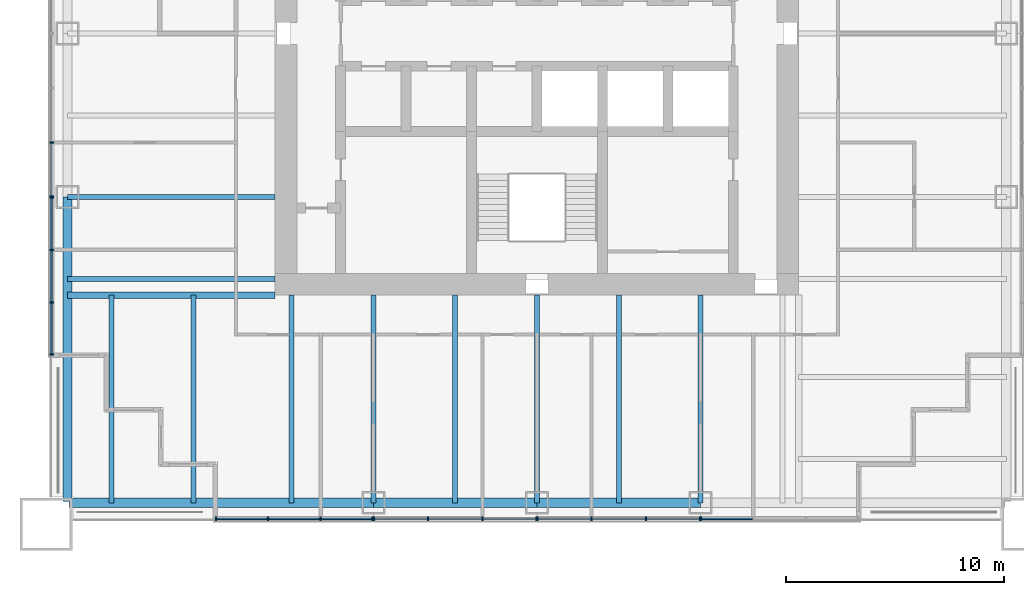
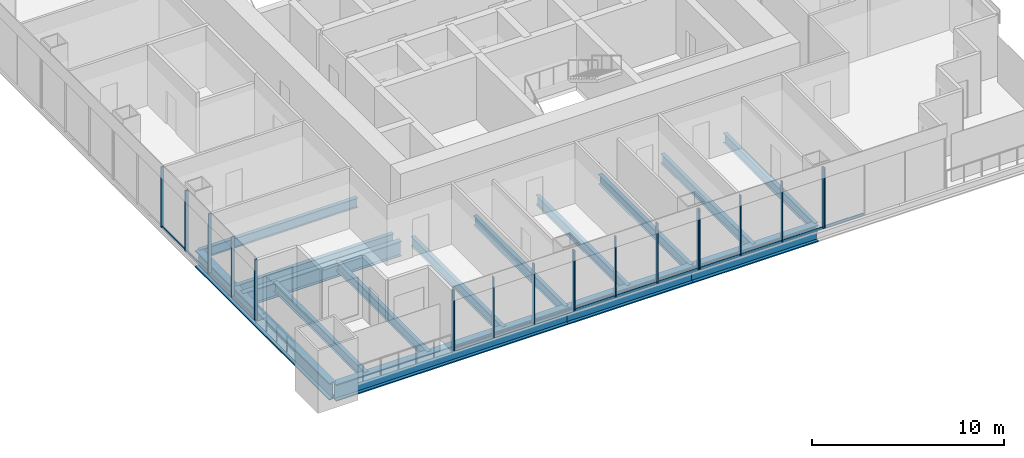
# One storey, part 2 of 13: 33 members, 15 beams, 6 elements without a shape of their own.
"""IFC4 building model written with IfcOpenShell, lengths in metres."""

from ifc_helpers import new_model, si_unit, direction, frame, origin, origin_2d, place, context, subcontext, project, spatial, rectangle, i_section, extrude, material, material_profile, profile_set, type_object, element, aggregate, save


model = new_model("IFC4")

# Units and contexts
model_context = context("Model", 3, precision=1e-05, world=origin(), true_north=direction((0.0, 1.0)))
body_context = subcontext(model_context, "Body", "Model", "MODEL_VIEW")
ifc_project = project(units=[si_unit("LENGTHUNIT", "METRE"), si_unit("AREAUNIT", "SQUARE_METRE"), si_unit("VOLUMEUNIT", "CUBIC_METRE"), si_unit("PLANEANGLEUNIT", "RADIAN"), si_unit("MASSUNIT", "GRAM", prefix="KILO")], contexts=[model_context])

# Site, building, storey
site_placement = place(None, origin())
site = spatial("IfcSite", under=ifc_project, at=site_placement, CompositionType="ELEMENT")
building_placement = place(site_placement, origin())
building = spatial("IfcBuilding", under=site, at=building_placement, Name="Tarangal Relay Tower", CompositionType="ELEMENT")
storey_placement = place(building_placement, frame((0.0, 0.0, 185.89990234375)))
storey = spatial("IfcBuildingStorey", under=building, at=storey_placement, Name="L38", CompositionType="ELEMENT", Elevation=185.89990234375)

# Beams
ifc_material_1 = material(Name="Steel ASTM A992", Category="steel")
ifc_material_profile_1 = material_profile(ifc_material_1, i_section(OverallWidth=0.227783203125, OverallDepth=0.60205078125, WebThickness=0.010498046875, FlangeThickness=0.014892578125, at=origin_2d()), Name="W24X68")
ifc_profile_set_1 = profile_set([ifc_material_profile_1], Name="Steel ASTM A992")
beam_type_1 = type_object("IfcBeamType", Name="Corner beam W24X68", PredefinedType="JOIST", material=ifc_profile_set_1)
for number, where, z_axis, x_axis, name in (
    (1, (-15.75, -12.0, -0.450927734375), (0.0, -1.0, 0.0), (1.0, 0.0, 0.0), "Corner beam CB11 S L38"),
    (2, (-19.5, -12.0, -0.450927734375), (0.0, -1.0, 0.0), (1.0, 0.0, 0.0), "Corner beam CB11 S L38"),
):
    element("IfcBeam", number, at=place(storey_placement, frame(where, z_axis=z_axis, x_axis=x_axis)), inside=storey, type_object=beam_type_1, Name=name, PredefinedType="JOIST", context=body_context, shape_type="SweptSolid", body=[
        extrude(i_section(OverallWidth=0.227783203125, OverallDepth=0.60205078125, WebThickness=0.010498046875, FlangeThickness=0.014892578125, at=origin_2d()), origin(), (0.0, 0.0, 1.0), 9.514892578125),
    ])
ifc_material_profile_2 = material_profile(ifc_material_1, i_section(OverallWidth=0.307373046875, OverallDepth=0.9423828125, WebThickness=0.022216796875, FlangeThickness=0.039794921875, at=origin_2d()), Name="W36X232")
ifc_profile_set_2 = profile_set([ifc_material_profile_2], Name="Steel ASTM A992")
beam_type_2 = type_object("IfcBeamType", Name="Corner girder W36X232", PredefinedType="BEAM", material=ifc_profile_set_2)
beam_placement = place(storey_placement, frame((-12.0, -12.0, -0.62109375), z_axis=(-1.0, 0.0, 0.0), x_axis=(0.0, -1.0, 0.0)))
element("IfcBeam", 3, at=beam_placement, inside=storey, type_object=beam_type_2, Name="Corner girder CG4 S L38", PredefinedType="BEAM", context=body_context, shape_type="SweptSolid", body=[
    extrude(i_section(OverallWidth=0.307373046875, OverallDepth=0.9423828125, WebThickness=0.022216796875, FlangeThickness=0.039794921875, at=origin_2d()), origin(), (0.0, 0.0, 1.0), 9.514892578125),
])
ifc_material_profile_3 = material_profile(ifc_material_1, i_section(OverallWidth=0.41650390625, OverallDepth=1.0693359375, WebThickness=0.0390625, FlangeThickness=0.070068359375, at=origin_2d()), Name="W40X503")
ifc_profile_set_3 = profile_set([ifc_material_profile_3], Name="Steel ASTM A992")
beam_type_3 = type_object("IfcBeamType", Name="Edge girder W40X503", PredefinedType="SPANDREL", material=ifc_profile_set_3)
for number, where, z_axis, x_axis, name in (
    (4, (7.5, -21.514892578125, -0.6845703125), (-1.0, 0.0, 0.0), (0.0, -1.0, 0.0), "Edge girder EG8 S L38"),
    (5, (0.0, -21.514892578125, -0.6845703125), (-1.0, 0.0, 0.0), (0.0, -1.0, 0.0), "Edge girder EG8 S L38"),
):
    element("IfcBeam", number, at=place(storey_placement, frame(where, z_axis=z_axis, x_axis=x_axis)), inside=storey, type_object=beam_type_3, Name=name, PredefinedType="SPANDREL", context=body_context, shape_type="SweptSolid", body=[
        extrude(i_section(OverallWidth=0.41650390625, OverallDepth=1.0693359375, WebThickness=0.0390625, FlangeThickness=0.070068359375, at=origin_2d()), origin(), (0.0, 0.0, 1.0), 7.5),
    ])
for number, where, z_axis, x_axis, name in (
    (6, (-7.5, -21.514892578125, -0.6845703125), (-1.0, 0.0, 0.0), (0.0, -1.0, 0.0), "Edge girder EG8 S L38"),
    (7, (-21.514892578125, -21.449951171875, -0.6845703125), (0.0, 1.0, 0.0), (-1.0, 0.0, 0.0), "Edge girder EG8 W L38"),
):
    element("IfcBeam", number, at=place(storey_placement, frame(where, z_axis=z_axis, x_axis=x_axis)), inside=storey, type_object=beam_type_3, Name=name, PredefinedType="SPANDREL", context=body_context, shape_type="SweptSolid", body=[
        extrude(i_section(OverallWidth=0.41650390625, OverallDepth=1.0693359375, WebThickness=0.0390625, FlangeThickness=0.070068359375, at=origin_2d()), origin(), (0.0, 0.0, 1.0), 13.949951171875),
    ])
ifc_material_profile_4 = material_profile(ifc_material_1, i_section(OverallWidth=0.22900390625, OverallDepth=0.612060546875, WebThickness=0.011962890625, FlangeThickness=0.01953125, at=origin_2d()), Name="W24X84")
ifc_profile_set_4 = profile_set([ifc_material_profile_4], Name="Steel ASTM A992")
beam_type_4 = type_object("IfcBeamType", Name="Floor beam W24X84", PredefinedType="BEAM", material=ifc_profile_set_4)
for number, where, z_axis, x_axis, name in (
    (8, (7.5, -12.0, -0.455810546875), (0.0, -1.0, 0.0), (1.0, 0.0, 0.0), "Floor beam RB12 S L38"),
    (9, (3.75, -12.0, -0.455810546875), (0.0, -1.0, 0.0), (1.0, 0.0, 0.0), "Floor beam RB12 S L38"),
    (10, (0.0, -12.0, -0.455810546875), (0.0, -1.0, 0.0), (1.0, 0.0, 0.0), "Floor beam RB12 S L38"),
    (11, (-3.75, -12.0, -0.455810546875), (0.0, -1.0, 0.0), (1.0, 0.0, 0.0), "Floor beam RB12 S L38"),
    (12, (-7.5, -12.0, -0.455810546875), (0.0, -1.0, 0.0), (1.0, 0.0, 0.0), "Floor beam RB12 S L38"),
    (13, (-11.25, -12.0, -0.455810546875), (0.0, -1.0, 0.0), (1.0, 0.0, 0.0), "Floor beam RB12 S L38"),
    (14, (-12.0, -11.25, -0.455810546875), (-1.0, 0.0, 0.0), (0.0, -1.0, 0.0), "Floor beam RB12 W L38"),
    (15, (-12.0, -7.5, -0.455810546875), (-1.0, 0.0, 0.0), (0.0, -1.0, 0.0), "Floor beam RB12 W L38"),
):
    element("IfcBeam", number, at=place(storey_placement, frame(where, z_axis=z_axis, x_axis=x_axis)), inside=storey, type_object=beam_type_4, Name=name, PredefinedType="BEAM", context=body_context, shape_type="SweptSolid", body=[
        extrude(i_section(OverallWidth=0.22900390625, OverallDepth=0.612060546875, WebThickness=0.011962890625, FlangeThickness=0.01953125, at=origin_2d()), origin(), (0.0, 0.0, 1.0), 9.514892578125),
    ])

# Curtain wall, members
ifc_material_2 = material(Name="Unitised curtain wall, dark glass and black aluminium", Category="aluminium")
curtain_wall_type_1 = type_object("IfcCurtainWallType", Name="Curtain wall CW-A", PredefinedType="USERDEFINED", material=ifc_material_2)
curtain_wall_1_placement = place(storey_placement, origin())
curtain_wall_1 = element("IfcCurtainWall", 16, at=curtain_wall_1_placement, inside=storey, type_object=curtain_wall_type_1, Name="Curtain wall CW-A S facade L38", ObjectType="UNITISED CURTAIN WALL", PredefinedType="USERDEFINED")
ifc_material_3 = material(Name="Black anodised aluminium mullion", Category="aluminium")
ifc_material_profile_5 = material_profile(ifc_material_3, rectangle(XDim=0.175048828125, YDim=0.06494140625, at=origin_2d()), Name="CW-AM 65X175")
ifc_profile_set_5 = profile_set([ifc_material_profile_5], Name="Black anodised aluminium mullion")
member_type_1 = type_object("IfcMemberType", Name="Mullion CW-A 65 x 175", PredefinedType="MULLION", material=ifc_profile_set_5)
member_1_placement = place(storey_placement, frame((7.467529296875, -22.25, 0.0), z_axis=(0.0, 0.0, 1.0), x_axis=(0.0, -1.0, 0.0)))
member_1 = element("IfcMember", 17, at=member_1_placement, type_object=member_type_1, Name="CW-A mullion 1", PredefinedType="MULLION", context=body_context, shape_type="SweptSolid", body=[
    extrude(rectangle(XDim=0.175048828125, YDim=0.06494140625, at=origin_2d()), origin(), (0.0, 0.0, 1.0), 3.85009765625),
])
member_2_placement = place(storey_placement, frame((5.0, -22.25, 0.0), z_axis=(0.0, 0.0, 1.0), x_axis=(0.0, -1.0, 0.0)))
member_2 = element("IfcMember", 18, at=member_2_placement, type_object=member_type_1, Name="CW-A mullion 2", PredefinedType="MULLION", context=body_context, shape_type="SweptSolid", body=[
    extrude(rectangle(XDim=0.175048828125, YDim=0.06494140625, at=origin_2d()), origin(), (0.0, 0.0, 1.0), 3.85009765625),
])
member_3_placement = place(storey_placement, frame((2.5, -22.25, 0.0), z_axis=(0.0, 0.0, 1.0), x_axis=(0.0, -1.0, 0.0)))
member_3 = element("IfcMember", 19, at=member_3_placement, type_object=member_type_1, Name="CW-A mullion 3", PredefinedType="MULLION", context=body_context, shape_type="SweptSolid", body=[
    extrude(rectangle(XDim=0.175048828125, YDim=0.06494140625, at=origin_2d()), origin(), (0.0, 0.0, 1.0), 3.85009765625),
])
member_4_placement = place(storey_placement, frame((0.032470703125, -22.25, 0.0), z_axis=(0.0, 0.0, 1.0), x_axis=(0.0, -1.0, 0.0)))
member_4 = element("IfcMember", 20, at=member_4_placement, type_object=member_type_1, Name="CW-A mullion 4", PredefinedType="MULLION", context=body_context, shape_type="SweptSolid", body=[
    extrude(rectangle(XDim=0.175048828125, YDim=0.06494140625, at=origin_2d()), origin(), (0.0, 0.0, 1.0), 3.85009765625),
])

curtain_wall_2_placement = place(storey_placement, origin())
curtain_wall_2 = element("IfcCurtainWall", 21, at=curtain_wall_2_placement, inside=storey, type_object=curtain_wall_type_1, Name="Curtain wall CW-A S facade L38", ObjectType="UNITISED CURTAIN WALL", PredefinedType="USERDEFINED")
member_5_placement = place(storey_placement, frame((-0.032470703125, -22.25, 0.0), z_axis=(0.0, 0.0, 1.0), x_axis=(0.0, -1.0, 0.0)))
member_5 = element("IfcMember", 22, at=member_5_placement, type_object=member_type_1, Name="CW-A mullion 1", PredefinedType="MULLION", context=body_context, shape_type="SweptSolid", body=[
    extrude(rectangle(XDim=0.175048828125, YDim=0.06494140625, at=origin_2d()), origin(), (0.0, 0.0, 1.0), 3.85009765625),
])
member_6_placement = place(storey_placement, frame((-2.5, -22.25, 0.0), z_axis=(0.0, 0.0, 1.0), x_axis=(0.0, -1.0, 0.0)))
member_6 = element("IfcMember", 23, at=member_6_placement, type_object=member_type_1, Name="CW-A mullion 2", PredefinedType="MULLION", context=body_context, shape_type="SweptSolid", body=[
    extrude(rectangle(XDim=0.175048828125, YDim=0.06494140625, at=origin_2d()), origin(), (0.0, 0.0, 1.0), 3.85009765625),
])
member_7_placement = place(storey_placement, frame((-5.0, -22.25, 0.0), z_axis=(0.0, 0.0, 1.0), x_axis=(0.0, -1.0, 0.0)))
member_7 = element("IfcMember", 24, at=member_7_placement, type_object=member_type_1, Name="CW-A mullion 3", PredefinedType="MULLION", context=body_context, shape_type="SweptSolid", body=[
    extrude(rectangle(XDim=0.175048828125, YDim=0.06494140625, at=origin_2d()), origin(), (0.0, 0.0, 1.0), 3.85009765625),
])
member_8_placement = place(storey_placement, frame((-7.467529296875, -22.25, 0.0), z_axis=(0.0, 0.0, 1.0), x_axis=(0.0, -1.0, 0.0)))
member_8 = element("IfcMember", 25, at=member_8_placement, type_object=member_type_1, Name="CW-A mullion 4", PredefinedType="MULLION", context=body_context, shape_type="SweptSolid", body=[
    extrude(rectangle(XDim=0.175048828125, YDim=0.06494140625, at=origin_2d()), origin(), (0.0, 0.0, 1.0), 3.85009765625),
])

curtain_wall_3_placement = place(storey_placement, origin())
curtain_wall_3 = element("IfcCurtainWall", 26, at=curtain_wall_3_placement, inside=storey, type_object=curtain_wall_type_1, Name="Curtain wall CW-A W facade L38", ObjectType="UNITISED CURTAIN WALL", PredefinedType="USERDEFINED")
member_9_placement = place(storey_placement, frame((-22.25, -7.467529296875, 0.0), z_axis=(0.0, 0.0, 1.0), x_axis=(-1.0, 0.0, 0.0)))
member_9 = element("IfcMember", 27, at=member_9_placement, type_object=member_type_1, Name="CW-A mullion 1", PredefinedType="MULLION", context=body_context, shape_type="SweptSolid", body=[
    extrude(rectangle(XDim=0.175048828125, YDim=0.06494140625, at=origin_2d()), origin(), (0.0, 0.0, 1.0), 3.85009765625),
])
member_10_placement = place(storey_placement, frame((-22.25, -5.0, 0.0), z_axis=(0.0, 0.0, 1.0), x_axis=(-1.0, 0.0, 0.0)))
member_10 = element("IfcMember", 28, at=member_10_placement, type_object=member_type_1, Name="CW-A mullion 2", PredefinedType="MULLION", context=body_context, shape_type="SweptSolid", body=[
    extrude(rectangle(XDim=0.175048828125, YDim=0.06494140625, at=origin_2d()), origin(), (0.0, 0.0, 1.0), 3.85009765625),
])

# Curtain wall, member
ifc_material_4 = material(Name="Unitised curtain wall frame, black aluminium, with metal clad infill walls", Category="aluminium")
curtain_wall_type_2 = type_object("IfcCurtainWallType", Name="Curtain wall CW-AO", PredefinedType="USERDEFINED", material=ifc_material_4)
curtain_wall_4_placement = place(storey_placement, origin())
curtain_wall_4 = element("IfcCurtainWall", 29, at=curtain_wall_4_placement, inside=storey, type_object=curtain_wall_type_2, Name="Curtain wall CW-AO S facade L38", ObjectType="UNITISED CURTAIN WALL", PredefinedType="USERDEFINED")
ifc_material_profile_6 = material_profile(ifc_material_3, rectangle(XDim=0.175048828125, YDim=0.06494140625, at=origin_2d()), Name="CW-AOM 65X175")
ifc_profile_set_6 = profile_set([ifc_material_profile_6], Name="Black anodised aluminium mullion")
member_type_2 = type_object("IfcMemberType", Name="Mullion CW-AO 65 x 175", PredefinedType="MULLION", material=ifc_profile_set_6)
member_11_placement = place(storey_placement, frame((7.532470703125, -22.25, 0.0), z_axis=(0.0, 0.0, 1.0), x_axis=(0.0, -1.0, 0.0)))
member_11 = element("IfcMember", 30, at=member_11_placement, type_object=member_type_2, Name="CW-AO mullion 4", PredefinedType="MULLION", context=body_context, shape_type="SweptSolid", body=[
    extrude(rectangle(XDim=0.175048828125, YDim=0.06494140625, at=origin_2d()), origin(), (0.0, 0.0, 1.0), 3.85009765625),
])

# Curtain wall, members
curtain_wall_5_placement = place(storey_placement, origin())
curtain_wall_5 = element("IfcCurtainWall", 31, at=curtain_wall_5_placement, inside=storey, type_object=curtain_wall_type_2, Name="Curtain wall CW-AO S facade L38", ObjectType="UNITISED CURTAIN WALL", PredefinedType="USERDEFINED")
member_12_placement = place(storey_placement, frame((-7.532470703125, -22.25, 0.0), z_axis=(0.0, 0.0, 1.0), x_axis=(0.0, -1.0, 0.0)))
member_12 = element("IfcMember", 32, at=member_12_placement, type_object=member_type_2, Name="CW-AO mullion 1", PredefinedType="MULLION", context=body_context, shape_type="SweptSolid", body=[
    extrude(rectangle(XDim=0.175048828125, YDim=0.06494140625, at=origin_2d()), origin(), (0.0, 0.0, 1.0), 3.85009765625),
])
member_13_placement = place(storey_placement, frame((-9.916748046875, -22.25, 0.0), z_axis=(0.0, 0.0, 1.0), x_axis=(0.0, -1.0, 0.0)))
member_13 = element("IfcMember", 33, at=member_13_placement, type_object=member_type_2, Name="CW-AO mullion 2", PredefinedType="MULLION", context=body_context, shape_type="SweptSolid", body=[
    extrude(rectangle(XDim=0.175048828125, YDim=0.06494140625, at=origin_2d()), origin(), (0.0, 0.0, 1.0), 3.85009765625),
])
member_14_placement = place(storey_placement, frame((-12.333251953125, -22.25, 0.0), z_axis=(0.0, 0.0, 1.0), x_axis=(0.0, -1.0, 0.0)))
member_14 = element("IfcMember", 34, at=member_14_placement, type_object=member_type_2, Name="CW-AO mullion 3", PredefinedType="MULLION", context=body_context, shape_type="SweptSolid", body=[
    extrude(rectangle(XDim=0.175048828125, YDim=0.06494140625, at=origin_2d()), origin(), (0.0, 0.0, 1.0), 3.85009765625),
])
member_15_placement = place(storey_placement, frame((-14.717529296875, -22.25, 0.0), z_axis=(0.0, 0.0, 1.0), x_axis=(0.0, -1.0, 0.0)))
member_15 = element("IfcMember", 35, at=member_15_placement, type_object=member_type_2, Name="CW-AO mullion 4", PredefinedType="MULLION", context=body_context, shape_type="SweptSolid", body=[
    extrude(rectangle(XDim=0.175048828125, YDim=0.06494140625, at=origin_2d()), origin(), (0.0, 0.0, 1.0), 3.85009765625),
])

curtain_wall_6_placement = place(storey_placement, origin())
curtain_wall_6 = element("IfcCurtainWall", 36, at=curtain_wall_6_placement, inside=storey, type_object=curtain_wall_type_2, Name="Curtain wall CW-AO W facade L38", ObjectType="UNITISED CURTAIN WALL", PredefinedType="USERDEFINED")
member_16_placement = place(storey_placement, frame((-22.25, -14.717529296875, 0.0), z_axis=(0.0, 0.0, 1.0), x_axis=(-1.0, 0.0, 0.0)))
member_16 = element("IfcMember", 37, at=member_16_placement, type_object=member_type_2, Name="CW-AO mullion 1", PredefinedType="MULLION", context=body_context, shape_type="SweptSolid", body=[
    extrude(rectangle(XDim=0.175048828125, YDim=0.06494140625, at=origin_2d()), origin(), (0.0, 0.0, 1.0), 3.85009765625),
])
member_17_placement = place(storey_placement, frame((-22.25, -12.333251953125, 0.0), z_axis=(0.0, 0.0, 1.0), x_axis=(-1.0, 0.0, 0.0)))
member_17 = element("IfcMember", 38, at=member_17_placement, type_object=member_type_2, Name="CW-AO mullion 2", PredefinedType="MULLION", context=body_context, shape_type="SweptSolid", body=[
    extrude(rectangle(XDim=0.175048828125, YDim=0.06494140625, at=origin_2d()), origin(), (0.0, 0.0, 1.0), 3.85009765625),
])
member_18_placement = place(storey_placement, frame((-22.25, -9.916748046875, 0.0), z_axis=(0.0, 0.0, 1.0), x_axis=(-1.0, 0.0, 0.0)))
member_18 = element("IfcMember", 39, at=member_18_placement, type_object=member_type_2, Name="CW-AO mullion 3", PredefinedType="MULLION", context=body_context, shape_type="SweptSolid", body=[
    extrude(rectangle(XDim=0.175048828125, YDim=0.06494140625, at=origin_2d()), origin(), (0.0, 0.0, 1.0), 3.85009765625),
])
member_19_placement = place(storey_placement, frame((-22.25, -7.532470703125, 0.0), z_axis=(0.0, 0.0, 1.0), x_axis=(-1.0, 0.0, 0.0)))
member_19 = element("IfcMember", 40, at=member_19_placement, type_object=member_type_2, Name="CW-AO mullion 4", PredefinedType="MULLION", context=body_context, shape_type="SweptSolid", body=[
    extrude(rectangle(XDim=0.175048828125, YDim=0.06494140625, at=origin_2d()), origin(), (0.0, 0.0, 1.0), 3.85009765625),
])

# Member
ifc_material_5 = material(Name="Black anodised aluminium transom", Category="aluminium")
ifc_material_profile_7 = material_profile(ifc_material_5, rectangle(XDim=0.06494140625, YDim=0.14990234375, at=origin_2d()), Name="CW-AT 65X150")
ifc_profile_set_7 = profile_set([ifc_material_profile_7], Name="Black anodised aluminium transom")
member_type_3 = type_object("IfcMemberType", Name="Transom CW-A 65 x 150", PredefinedType="USERDEFINED", material=ifc_profile_set_7)
member_20_placement = place(storey_placement, frame((7.43505859375, -22.25, 0.03271484375), z_axis=(-1.0, 0.0, 0.0), x_axis=(0.0, -1.0, 0.0)))
member_20 = element("IfcMember", 41, at=member_20_placement, type_object=member_type_3, Name="CW-A transom 1.1", ObjectType="TRANSOM", PredefinedType="USERDEFINED", context=body_context, shape_type="SweptSolid", body=[
    extrude(rectangle(XDim=0.06494140625, YDim=0.14990234375, at=origin_2d()), origin(), (0.0, 0.0, 1.0), 2.402587890625),
])

member_21_placement = place(storey_placement, frame((4.967529296875, -22.25, 0.03271484375), z_axis=(-1.0, 0.0, 0.0), x_axis=(0.0, -1.0, 0.0)))
member_21 = element("IfcMember", 42, at=member_21_placement, type_object=member_type_3, Name="CW-A transom 2.1", ObjectType="TRANSOM", PredefinedType="USERDEFINED", context=body_context, shape_type="SweptSolid", body=[
    extrude(rectangle(XDim=0.06494140625, YDim=0.14990234375, at=origin_2d()), origin(), (0.0, 0.0, 1.0), 2.43505859375),
])

member_22_placement = place(storey_placement, frame((2.467529296875, -22.25, 0.03271484375), z_axis=(-1.0, 0.0, 0.0), x_axis=(0.0, -1.0, 0.0)))
member_22 = element("IfcMember", 43, at=member_22_placement, type_object=member_type_3, Name="CW-A transom 3.1", ObjectType="TRANSOM", PredefinedType="USERDEFINED", context=body_context, shape_type="SweptSolid", body=[
    extrude(rectangle(XDim=0.06494140625, YDim=0.14990234375, at=origin_2d()), origin(), (0.0, 0.0, 1.0), 2.402587890625),
])

aggregate(curtain_wall_1, [member_1, member_2, member_3, member_4, member_20, member_21, member_22])

member_23_placement = place(storey_placement, frame((-0.06494140625, -22.25, 0.03271484375), z_axis=(-1.0, 0.0, 0.0), x_axis=(0.0, -1.0, 0.0)))
member_23 = element("IfcMember", 44, at=member_23_placement, type_object=member_type_3, Name="CW-A transom 1.1", ObjectType="TRANSOM", PredefinedType="USERDEFINED", context=body_context, shape_type="SweptSolid", body=[
    extrude(rectangle(XDim=0.06494140625, YDim=0.14990234375, at=origin_2d()), origin(), (0.0, 0.0, 1.0), 2.402587890625),
])

member_24_placement = place(storey_placement, frame((-2.532470703125, -22.25, 0.03271484375), z_axis=(-1.0, 0.0, 0.0), x_axis=(0.0, -1.0, 0.0)))
member_24 = element("IfcMember", 45, at=member_24_placement, type_object=member_type_3, Name="CW-A transom 2.1", ObjectType="TRANSOM", PredefinedType="USERDEFINED", context=body_context, shape_type="SweptSolid", body=[
    extrude(rectangle(XDim=0.06494140625, YDim=0.14990234375, at=origin_2d()), origin(), (0.0, 0.0, 1.0), 2.43505859375),
])

member_25_placement = place(storey_placement, frame((-5.032470703125, -22.25, 0.03271484375), z_axis=(-1.0, 0.0, 0.0), x_axis=(0.0, -1.0, 0.0)))
member_25 = element("IfcMember", 46, at=member_25_placement, type_object=member_type_3, Name="CW-A transom 3.1", ObjectType="TRANSOM", PredefinedType="USERDEFINED", context=body_context, shape_type="SweptSolid", body=[
    extrude(rectangle(XDim=0.06494140625, YDim=0.14990234375, at=origin_2d()), origin(), (0.0, 0.0, 1.0), 2.402587890625),
])

aggregate(curtain_wall_2, [member_5, member_6, member_7, member_8, member_23, member_24, member_25])

member_26_placement = place(storey_placement, frame((-22.25, -7.43505859375, 0.03271484375), z_axis=(0.0, 1.0, 0.0), x_axis=(-1.0, 0.0, 0.0)))
member_26 = element("IfcMember", 47, at=member_26_placement, type_object=member_type_3, Name="CW-A transom 1.1", ObjectType="TRANSOM", PredefinedType="USERDEFINED", context=body_context, shape_type="SweptSolid", body=[
    extrude(rectangle(XDim=0.06494140625, YDim=0.14990234375, at=origin_2d()), origin(), (0.0, 0.0, 1.0), 2.402587890625),
])

aggregate(curtain_wall_3, [member_9, member_10, member_26])

ifc_material_profile_8 = material_profile(ifc_material_5, rectangle(XDim=0.06494140625, YDim=0.14990234375, at=origin_2d()), Name="CW-AOT 65X150")
ifc_profile_set_8 = profile_set([ifc_material_profile_8], Name="Black anodised aluminium transom")
member_type_4 = type_object("IfcMemberType", Name="Transom CW-AO 65 x 150", PredefinedType="USERDEFINED", material=ifc_profile_set_8)
member_27_placement = place(storey_placement, frame((9.88427734375, -22.25, 0.03271484375), z_axis=(-1.0, 0.0, 0.0), x_axis=(0.0, -1.0, 0.0)))
member_27 = element("IfcMember", 48, at=member_27_placement, type_object=member_type_4, Name="CW-AO transom 3.1", ObjectType="TRANSOM", PredefinedType="USERDEFINED", context=body_context, shape_type="SweptSolid", body=[
    extrude(rectangle(XDim=0.06494140625, YDim=0.14990234375, at=origin_2d()), origin(), (0.0, 0.0, 1.0), 2.3193359375),
])

aggregate(curtain_wall_4, [member_11, member_27])

member_28_placement = place(storey_placement, frame((-7.56494140625, -22.25, 0.03271484375), z_axis=(-1.0, 0.0, 0.0), x_axis=(0.0, -1.0, 0.0)))
member_28 = element("IfcMember", 49, at=member_28_placement, type_object=member_type_4, Name="CW-AO transom 1.1", ObjectType="TRANSOM", PredefinedType="USERDEFINED", context=body_context, shape_type="SweptSolid", body=[
    extrude(rectangle(XDim=0.06494140625, YDim=0.14990234375, at=origin_2d()), origin(), (0.0, 0.0, 1.0), 2.3193359375),
])

member_29_placement = place(storey_placement, frame((-9.94921875, -22.25, 0.03271484375), z_axis=(-1.0, 0.0, 0.0), x_axis=(0.0, -1.0, 0.0)))
member_29 = element("IfcMember", 50, at=member_29_placement, type_object=member_type_4, Name="CW-AO transom 2.1", ObjectType="TRANSOM", PredefinedType="USERDEFINED", context=body_context, shape_type="SweptSolid", body=[
    extrude(rectangle(XDim=0.06494140625, YDim=0.14990234375, at=origin_2d()), origin(), (0.0, 0.0, 1.0), 2.3515625),
])

member_30_placement = place(storey_placement, frame((-12.36572265625, -22.25, 0.03271484375), z_axis=(-1.0, 0.0, 0.0), x_axis=(0.0, -1.0, 0.0)))
member_30 = element("IfcMember", 51, at=member_30_placement, type_object=member_type_4, Name="CW-AO transom 3.1", ObjectType="TRANSOM", PredefinedType="USERDEFINED", context=body_context, shape_type="SweptSolid", body=[
    extrude(rectangle(XDim=0.06494140625, YDim=0.14990234375, at=origin_2d()), origin(), (0.0, 0.0, 1.0), 2.3193359375),
])

aggregate(curtain_wall_5, [member_12, member_13, member_14, member_15, member_28, member_29, member_30])

member_31_placement = place(storey_placement, frame((-22.25, -14.68505859375, 0.03271484375), z_axis=(0.0, 1.0, 0.0), x_axis=(-1.0, 0.0, 0.0)))
member_31 = element("IfcMember", 52, at=member_31_placement, type_object=member_type_4, Name="CW-AO transom 1.1", ObjectType="TRANSOM", PredefinedType="USERDEFINED", context=body_context, shape_type="SweptSolid", body=[
    extrude(rectangle(XDim=0.06494140625, YDim=0.14990234375, at=origin_2d()), origin(), (0.0, 0.0, 1.0), 2.3193359375),
])

member_32_placement = place(storey_placement, frame((-22.25, -12.30078125, 0.03271484375), z_axis=(0.0, 1.0, 0.0), x_axis=(-1.0, 0.0, 0.0)))
member_32 = element("IfcMember", 53, at=member_32_placement, type_object=member_type_4, Name="CW-AO transom 2.1", ObjectType="TRANSOM", PredefinedType="USERDEFINED", context=body_context, shape_type="SweptSolid", body=[
    extrude(rectangle(XDim=0.06494140625, YDim=0.14990234375, at=origin_2d()), origin(), (0.0, 0.0, 1.0), 2.3515625),
])

member_33_placement = place(storey_placement, frame((-22.25, -9.88427734375, 0.03271484375), z_axis=(0.0, 1.0, 0.0), x_axis=(-1.0, 0.0, 0.0)))
member_33 = element("IfcMember", 54, at=member_33_placement, type_object=member_type_4, Name="CW-AO transom 3.1", ObjectType="TRANSOM", PredefinedType="USERDEFINED", context=body_context, shape_type="SweptSolid", body=[
    extrude(rectangle(XDim=0.06494140625, YDim=0.14990234375, at=origin_2d()), origin(), (0.0, 0.0, 1.0), 2.3193359375),
])

aggregate(curtain_wall_6, [member_16, member_17, member_18, member_19, member_31, member_32, member_33])

save(model, "model.ifc")
